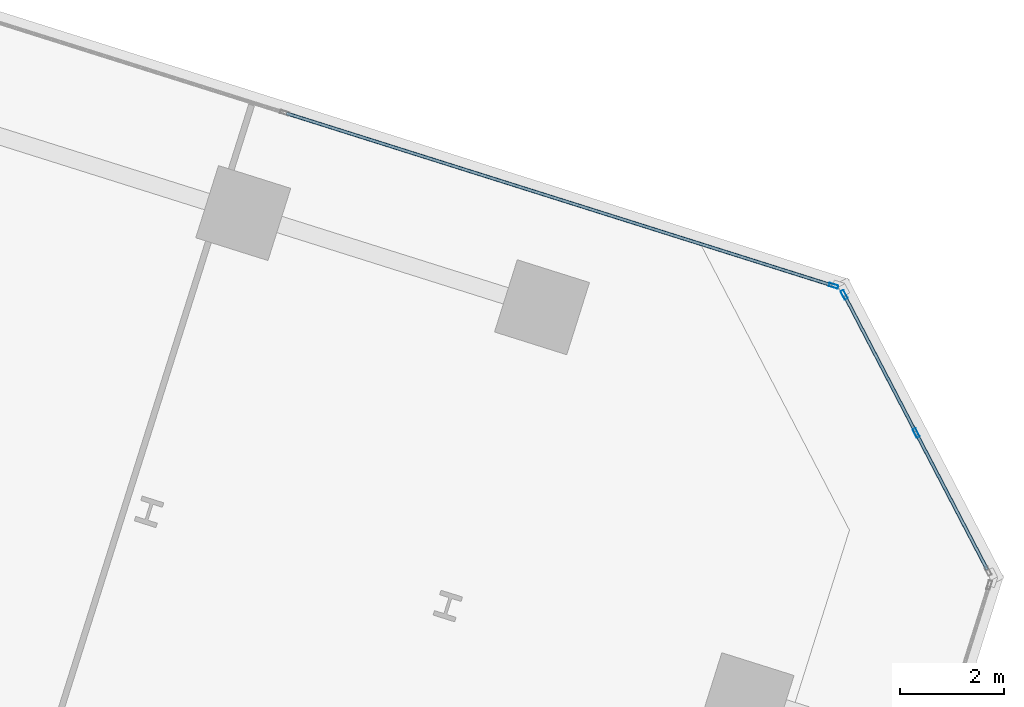
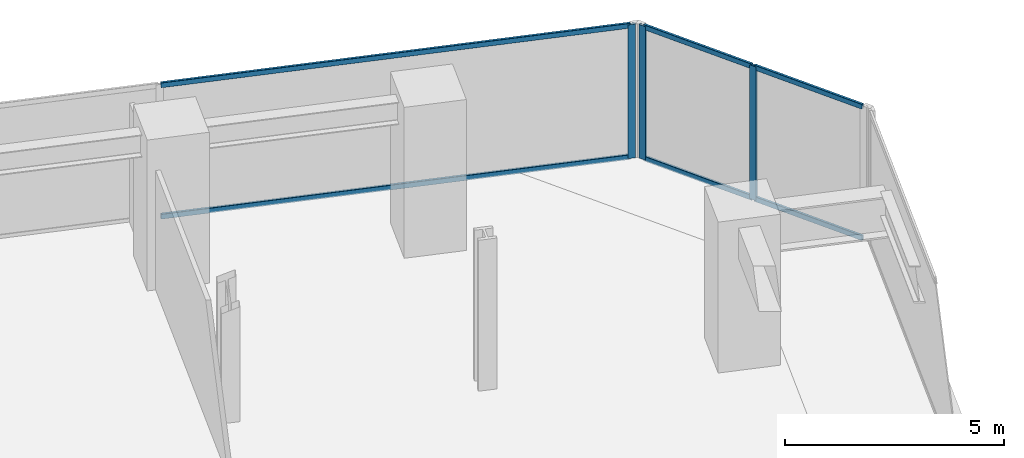
# One storey, part 12 of 28: 9 members, 2 elements without a shape of their own.
"""IFC4 building model written with IfcOpenShell, lengths in metres."""

import ifcopenshell
import ifcopenshell.guid

model = None  # the IFC model being written
_history = None  # IfcOwnerHistory: only IFC2X3 demands one
_inside = {}  # id of a spatial element -> (the spatial element, [elements in it])
_under = {}  # id of a project, library or spatial element -> (it, [spatial elements below it])
_declared = {}  # id of a project -> (the project, [libraries it declares])
_typed = {}  # id of a type object -> (the type object, [elements of that type])
_made_of = {}  # id of a material, layer set ... -> (it, [elements and type objects made of it])


def new_model(schema):
    """Start an empty IFC model of exactly this schema.

    Asked for "IFC4X3", IfcOpenShell would pick the latest addendum, in which some entities
    have other attributes; the version numbers below select the first issue.
    IFC2X3 requires an IfcOwnerHistory on every rooted entity: one is made here for all.
    """
    global model, _history
    if schema == "IFC4X3":
        model = ifcopenshell.file(schema_version=(4, 3, 0, 0))
    else:
        model = ifcopenshell.file(schema=schema)
    _inside.clear()
    _under.clear()
    _declared.clear()
    _typed.clear()
    _made_of.clear()
    _history = None
    if model.schema == "IFC2X3":
        org = make("IfcOrganization", Name="unknown")
        user = make(
            "IfcPersonAndOrganization",
            ThePerson=make("IfcPerson", FamilyName="unknown"),
            TheOrganization=org,
        )
        app = make(
            "IfcApplication",
            ApplicationDeveloper=org,
            Version="unknown",
            ApplicationFullName="unknown",
            ApplicationIdentifier="unknown",
        )
        _history = make(
            "IfcOwnerHistory",
            OwningUser=user,
            OwningApplication=app,
            ChangeAction="ADDED",
            CreationDate=0,
        )
    return model


def make(cls, **values):
    """One entity of the class cls with the attributes given. An attribute that is None is left unset."""
    return model.create_entity(
        cls, **{name: value for name, value in values.items() if value is not None}
    )


def rooted(cls, **values):
    """An entity with a GlobalId (a new one), such as an element, a storey or a relation."""
    return make(cls, GlobalId=ifcopenshell.guid.new(), OwnerHistory=_history, **values)


def si_unit(unit_type, name, prefix=None):
    """IfcSIUnit, for example si_unit("LENGTHUNIT", "METRE", prefix="MILLI")."""
    return make("IfcSIUnit", UnitType=unit_type, Prefix=prefix, Name=name)


def assignment(units):
    """IfcUnitAssignment: the units of a project."""
    return None if units is None else make("IfcUnitAssignment", Units=units)


def point(xyz):
    """IfcCartesianPoint."""
    return None if xyz is None else make("IfcCartesianPoint", Coordinates=xyz)


def direction(xyz):
    """IfcDirection."""
    return None if xyz is None else make("IfcDirection", DirectionRatios=xyz)


def frame(location, z_axis=None, x_axis=None):
    """IfcAxis2Placement3D, a coordinate frame: its origin and axes. An axis left out is left unset."""
    return make(
        "IfcAxis2Placement3D",
        Location=point(location),
        Axis=direction(z_axis),
        RefDirection=direction(x_axis),
    )


def frame_2d(location, x_axis=None):
    """IfcAxis2Placement2D, a coordinate frame in the plane: its origin and x axis."""
    return make(
        "IfcAxis2Placement2D", Location=point(location), RefDirection=direction(x_axis)
    )


def origin():
    """The frame at (0, 0, 0) with its axes left unset."""
    return frame((0.0, 0.0, 0.0))


def origin_2d():
    """The frame at (0, 0) in the plane with its x axis left unset."""
    return frame_2d((0.0, 0.0))


def place(relative_to, where):
    """IfcLocalPlacement: puts the frame where relative to a parent placement (None: the world)."""
    return make(
        "IfcLocalPlacement", PlacementRelTo=relative_to, RelativePlacement=where
    )


def context(
    kind, dimensions, precision=None, world=None, true_north=None, identifier=None
):
    """IfcGeometricRepresentationContext, for example the 3D "Model" context."""
    return make(
        "IfcGeometricRepresentationContext",
        ContextIdentifier=identifier,
        ContextType=kind,
        CoordinateSpaceDimension=dimensions,
        Precision=precision,
        WorldCoordinateSystem=world,
        TrueNorth=true_north,
    )


def subcontext(parent, identifier, kind, view, scale=None):
    """IfcGeometricRepresentationSubContext, for example "Body" below "Model"."""
    return make(
        "IfcGeometricRepresentationSubContext",
        ContextIdentifier=identifier,
        ContextType=kind,
        ParentContext=parent,
        TargetScale=scale,
        TargetView=view,
    )


def project(units=None, contexts=None):
    """IfcProject with its units and contexts."""
    return rooted(
        "IfcProject",
        Name="project",
        RepresentationContexts=contexts,
        UnitsInContext=assignment(units),
    )


def spatial(cls, under=None, at=None, **own):
    """A site, building, storey or space (cls), placed at a placement, below another one or the project."""
    s = rooted(cls, ObjectPlacement=at, **own)
    if under is not None:
        _under.setdefault(under.id(), (under, []))[1].append(s)
    return s


def profile(cls, at=None, kind="AREA", **sizes):
    """A parametric profile (cls). Its sizes go by their IFC names, for example OverallWidth=200.0."""
    return make(cls, ProfileType=kind, Position=at, **sizes)


def hollow_rectangle(**sizes):
    """IfcRectangleHollowProfileDef."""
    return profile("IfcRectangleHollowProfileDef", **sizes)


def extrude(swept, where, along, depth):
    """IfcExtrudedAreaSolid: the profile swept, set in the frame where, extruded along a direction by depth."""
    return make(
        "IfcExtrudedAreaSolid",
        SweptArea=swept,
        Position=where,
        ExtrudedDirection=direction(along),
        Depth=depth,
    )


def shape(context_of_items, identifier, shape_type, items):
    """IfcShapeRepresentation: the items that make up one representation, for example the "Body"."""
    return make(
        "IfcShapeRepresentation",
        ContextOfItems=context_of_items,
        RepresentationIdentifier=identifier,
        RepresentationType=shape_type,
        Items=items,
    )


def source(mapping_origin, context_of_items, identifier, shape_type, items):
    """IfcRepresentationMap: a shape defined once, which mapped items show again and again."""
    return make(
        "IfcRepresentationMap",
        MappingOrigin=mapping_origin,
        MappedRepresentation=shape(context_of_items, identifier, shape_type, items),
    )


def transform(
    local_origin,
    x_axis=None,
    y_axis=None,
    z_axis=None,
    scale=None,
    scale2=None,
    scale3=None,
    uniform=True,
):
    """IfcCartesianTransformationOperator3D, or its non-uniform kind. x_axis, y_axis, z_axis: its Axis1, 2, 3."""
    if uniform:
        return make(
            "IfcCartesianTransformationOperator3D",
            Axis1=direction(x_axis),
            Axis2=direction(y_axis),
            LocalOrigin=point(local_origin),
            Scale=scale,
            Axis3=direction(z_axis),
        )
    return make(
        "IfcCartesianTransformationOperator3DnonUniform",
        Axis1=direction(x_axis),
        Axis2=direction(y_axis),
        LocalOrigin=point(local_origin),
        Scale=scale,
        Axis3=direction(z_axis),
        Scale2=scale2,
        Scale3=scale3,
    )


def mapped(mapping_source, mapping_target):
    """IfcMappedItem: shows the shape of a source again, moved by a transform."""
    return make(
        "IfcMappedItem", MappingSource=mapping_source, MappingTarget=mapping_target
    )


def material(Name=None, Category=None):
    """IfcMaterial."""
    return make("IfcMaterial", Name=Name, Category=Category)


def material_profile(
    of_material, cross_section, Name=None, Category=None, Priority=None
):
    """IfcMaterialProfile: a cross section and its material."""
    return make(
        "IfcMaterialProfile",
        Name=Name,
        Material=of_material,
        Profile=cross_section,
        Priority=Priority,
        Category=Category,
    )


def profile_set(profiles, Name=None, composite=None):
    """IfcMaterialProfileSet."""
    return make(
        "IfcMaterialProfileSet",
        Name=Name,
        MaterialProfiles=profiles,
        CompositeProfile=composite,
    )


def made_of(thing, what):
    """Note that an element or type object is made of a material, layer set ...; save() writes the relation."""
    if what is not None:
        _made_of.setdefault(what.id(), (what, []))[1].append(thing)
    return thing


def type_object(cls, material=None, **own):
    """A type object (cls), such as IfcWallType, which elements share."""
    return made_of(rooted(cls, **own), material)


def element(
    cls,
    number,
    at=None,
    inside=None,
    cuts=None,
    type_object=None,
    material=None,
    context=None,
    identifier="Body",
    shape_type=None,
    held_by="IfcProductDefinitionShape",
    body=None,
    shapes=None,
    **own,
):
    """One element of the class cls, such as IfcWall. Its Tag is "e" and its number.

    at: its placement. inside: the storey or other place that contains it. cuts: it is an
    opening in that element (IfcRelVoidsElement). A single representation is given by context,
    identifier, shape_type and body (its items); several are given by shapes. held_by: the class
    of the entity that holds the representations. save() writes the other relations.
    """
    e = rooted(cls, Tag="e%d" % number, ObjectPlacement=at, **own)
    if body is not None:
        shapes = [shape(context, identifier, shape_type, body)]
    if shapes is not None:
        e.Representation = make(held_by, Representations=shapes)
    if inside is not None:
        _inside.setdefault(inside.id(), (inside, []))[1].append(e)
    if cuts is not None:
        rooted(
            "IfcRelVoidsElement", RelatingBuildingElement=cuts, RelatedOpeningElement=e
        )
    if type_object is not None:
        _typed.setdefault(type_object.id(), (type_object, []))[1].append(e)
    return made_of(e, material)


def aggregate(whole, parts):
    """IfcRelAggregates: a whole, such as a stair, and the parts it consists of."""
    return rooted("IfcRelAggregates", RelatingObject=whole, RelatedObjects=parts)


def save(model, path):
    """Write the relations noted so far, then the file.

    IfcRelAggregates (storeys below a building ...), IfcRelContainedInSpatialStructure (elements
    in a storey), IfcRelDefinesByType, IfcRelAssociatesMaterial and IfcRelDeclares: one each for
    every whole, place, type object, material and project.
    """
    for whole, parts in _under.values():
        aggregate(whole, parts)
    for where, things in _inside.values():
        rooted(
            "IfcRelContainedInSpatialStructure",
            RelatedElements=things,
            RelatingStructure=where,
        )
    for kind, things in _typed.values():
        rooted("IfcRelDefinesByType", RelatedObjects=things, RelatingType=kind)
    for what, things in _made_of.values():
        rooted("IfcRelAssociatesMaterial", RelatedObjects=things, RelatingMaterial=what)
    for by, libraries in _declared.values():
        rooted("IfcRelDeclares", RelatingContext=by, RelatedDefinitions=libraries)
    model.write(path)


model = new_model("IFC4")

# Units and contexts
model_context = context("Model", 3, precision=1e-05, world=origin(), true_north=direction((0.0, 1.0)))
body_context = subcontext(model_context, "Body", "Model", "MODEL_VIEW")
ifc_project = project(units=[si_unit("LENGTHUNIT", "METRE"), si_unit("AREAUNIT", "SQUARE_METRE"), si_unit("VOLUMEUNIT", "CUBIC_METRE"), si_unit("PLANEANGLEUNIT", "RADIAN"), si_unit("MASSUNIT", "GRAM", prefix="KILO")], contexts=[model_context])

# Site, building, storey
site_placement = place(None, origin())
site = spatial("IfcSite", under=ifc_project, at=site_placement, CompositionType="ELEMENT")
building_placement = place(site_placement, origin())
building = spatial("IfcBuilding", under=site, at=building_placement, Name="Torre Montelarca", CompositionType="ELEMENT")
storey_placement = place(building_placement, frame((0.0, 0.0, 112.60009765625)))
storey = spatial("IfcBuildingStorey", under=building, at=storey_placement, Name="L25", CompositionType="ELEMENT", Elevation=112.60009765625)

# Curtain wall, members
ifc_material_1 = material(Name="Insulated low-E laminated glass", Category="glass")
curtain_wall_type = type_object("IfcCurtainWallType", Name="CW-SYS-Z1", PredefinedType="USERDEFINED", material=ifc_material_1)
curtain_wall_1_placement = place(storey_placement, origin())
curtain_wall_1 = element("IfcCurtainWall", 1, at=curtain_wall_1_placement, inside=storey, type_object=curtain_wall_type, Name="L25 Curtain Wall Run CW-T3-L25-E07-B1", ObjectType="UNITISED GLAZING", PredefinedType="USERDEFINED")
ifc_material_2 = material(Name="Anodised aluminium AA 6063-T6", Category="aluminium")
ifc_material_profile_1 = material_profile(ifc_material_2, hollow_rectangle(XDim=0.06494140625, YDim=0.139892578125, WallThickness=0.00390625, InnerFilletRadius=0.00390625, OuterFilletRadius=0.008056640625, at=origin_2d()), Name="ALU65X140X4", Category="aluminium")
ifc_profile_set_1 = profile_set([ifc_material_profile_1], Name="Anodised aluminium AA 6063-T6")
member_type_1 = type_object("IfcMemberType", Name="CWT-ALU140", PredefinedType="USERDEFINED", material=ifc_profile_set_1)
shared_shape_1 = source(origin(), body_context, "Body", "SweptSolid", [
    extrude(hollow_rectangle(XDim=0.06494140625, YDim=0.139892578125, WallThickness=0.00390625, InnerFilletRadius=0.00390625, OuterFilletRadius=0.008056640625, at=origin_2d()), origin(), (0.0, 0.0, 1.0), 2.9189453125),
])
member_1_placement = place(storey_placement, frame((63.856201171875, 33.19970703125, 0.032470703125), z_axis=(-0.461708234154, 0.887031852029, 0.0), x_axis=(-0.887031852029, -0.461708234154, 0.0)))
member_1 = element("IfcMember", 2, at=member_1_placement, type_object=member_type_1, Name="CW transom 2.1", ObjectType="TRANSOM", PredefinedType="USERDEFINED", context=body_context, shape_type="MappedRepresentation", body=[
    mapped(shared_shape_1, transform((0.0, 0.0, 0.0), scale=1.0)),
])
member_2_placement = place(storey_placement, frame((63.856201171875, 33.19970703125, 3.6875), z_axis=(-0.461708234154, 0.887031852029, 0.0), x_axis=(-0.887031852029, -0.461708234154, 0.0)))
member_2 = element("IfcMember", 3, at=member_2_placement, type_object=member_type_1, Name="CW transom 2.2", ObjectType="TRANSOM", PredefinedType="USERDEFINED", context=body_context, shape_type="MappedRepresentation", body=[
    mapped(shared_shape_1, transform((0.0, 0.0, 0.0), scale=1.0)),
])
shared_shape_2 = source(origin(), body_context, "Body", "SweptSolid", [
    extrude(hollow_rectangle(XDim=0.06494140625, YDim=0.139892578125, WallThickness=0.00390625, InnerFilletRadius=0.00390625, OuterFilletRadius=0.008056640625, at=origin_2d()), origin(), (0.0, 0.0, 1.0), 2.918701171875),
])
member_3_placement = place(storey_placement, frame((65.23388671875, 30.55322265625, 0.032470703125), z_axis=(-0.461742492251, 0.887014019534, 0.0), x_axis=(-0.887014019534, -0.461742492251, 0.0)))
member_3 = element("IfcMember", 4, at=member_3_placement, type_object=member_type_1, Name="CW transom 1.1", ObjectType="TRANSOM", PredefinedType="USERDEFINED", context=body_context, shape_type="MappedRepresentation", body=[
    mapped(shared_shape_2, transform((0.0, 0.0, 0.0), scale=1.0)),
])
member_4_placement = place(storey_placement, frame((65.23388671875, 30.55322265625, 3.6875), z_axis=(-0.461742492251, 0.887014019534, 0.0), x_axis=(-0.887014019534, -0.461742492251, 0.0)))
member_4 = element("IfcMember", 5, at=member_4_placement, type_object=member_type_1, Name="CW transom 1.2", ObjectType="TRANSOM", PredefinedType="USERDEFINED", context=body_context, shape_type="MappedRepresentation", body=[
    mapped(shared_shape_2, transform((0.0, 0.0, 0.0), scale=1.0)),
])

curtain_wall_2_placement = place(storey_placement, origin())
curtain_wall_2 = element("IfcCurtainWall", 6, at=curtain_wall_2_placement, inside=storey, type_object=curtain_wall_type, Name="L25 Curtain Wall Run CW-T3-L25-E08-B1", ObjectType="UNITISED GLAZING", PredefinedType="USERDEFINED")
shared_shape_3 = source(origin(), body_context, "Body", "SweptSolid", [
    extrude(hollow_rectangle(XDim=0.06494140625, YDim=0.139892578125, WallThickness=0.00390625, InnerFilletRadius=0.00390625, OuterFilletRadius=0.008056640625, at=origin_2d()), origin(), (0.0, 0.0, 1.0), 10.95458984375),
])
member_5_placement = place(storey_placement, frame((62.258056640625, 35.9990234375, 0.032470703125), z_axis=(-0.95372066466, 0.300694020227, 0.0), x_axis=(-0.300694020227, -0.95372066466, 0.0)))
member_5 = element("IfcMember", 7, at=member_5_placement, type_object=member_type_1, Name="CW transom 1.1", ObjectType="TRANSOM", PredefinedType="USERDEFINED", context=body_context, shape_type="MappedRepresentation", body=[
    mapped(shared_shape_3, transform((0.0, 0.0, 0.0), scale=1.0)),
])
member_6_placement = place(storey_placement, frame((62.258056640625, 35.9990234375, 3.6875), z_axis=(-0.95372066466, 0.300694020227, 0.0), x_axis=(-0.300694020227, -0.95372066466, 0.0)))
member_6 = element("IfcMember", 8, at=member_6_placement, type_object=member_type_1, Name="CW transom 1.2", ObjectType="TRANSOM", PredefinedType="USERDEFINED", context=body_context, shape_type="MappedRepresentation", body=[
    mapped(shared_shape_3, transform((0.0, 0.0, 0.0), scale=1.0)),
])

# Member
ifc_material_profile_2 = material_profile(ifc_material_2, hollow_rectangle(XDim=0.06494140625, YDim=0.179931640625, WallThickness=0.00390625, InnerFilletRadius=0.00390625, OuterFilletRadius=0.008056640625, at=origin_2d()), Name="ALU65X180X4", Category="aluminium")
ifc_profile_set_2 = profile_set([ifc_material_profile_2], Name="Anodised aluminium AA 6063-T6")
member_type_2 = type_object("IfcMemberType", Name="CWM-ALU180", PredefinedType="MULLION", material=ifc_profile_set_2)
shared_shape_4 = source(origin(), body_context, "Body", "SweptSolid", [
    extrude(hollow_rectangle(XDim=0.06494140625, YDim=0.179931640625, WallThickness=0.00390625, InnerFilletRadius=0.00390625, OuterFilletRadius=0.008056640625, at=origin_2d()), origin(), (0.0, 0.0, 1.0), 3.719970703125),
])
member_7_placement = place(storey_placement, frame((63.871337890625, 33.1708984375, 0.0), z_axis=(0.0, 0.0, 1.0), x_axis=(-0.887014239788, -0.461742069139, 0.0)))
member_7 = element("IfcMember", 9, at=member_7_placement, type_object=member_type_2, Name="CW mullion 2", PredefinedType="MULLION", context=body_context, shape_type="MappedRepresentation", body=[
    mapped(shared_shape_4, transform((0.0, 0.0, 0.0), scale=1.0)),
])

member_8_placement = place(storey_placement, frame((62.49365234375, 35.817626953125, 0.0), z_axis=(0.0, 0.0, 1.0), x_axis=(-0.887014239788, -0.461742069139, 0.0)))
member_8 = element("IfcMember", 10, at=member_8_placement, type_object=member_type_2, Name="CW mullion 3", PredefinedType="MULLION", context=body_context, shape_type="MappedRepresentation", body=[
    mapped(shared_shape_4, transform((0.0, 0.0, 0.0), scale=1.0)),
])

aggregate(curtain_wall_1, [member_7, member_8, member_3, member_4, member_1, member_2])

member_9_placement = place(storey_placement, frame((62.2890625, 35.9892578125, 0.0), z_axis=(0.0, 0.0, 1.0), x_axis=(-0.300702638073, -0.953717947538, 0.0)))
member_9 = element("IfcMember", 11, at=member_9_placement, type_object=member_type_2, Name="CW mullion 1", PredefinedType="MULLION", context=body_context, shape_type="MappedRepresentation", body=[
    mapped(shared_shape_4, transform((0.0, 0.0, 0.0), scale=1.0)),
])

aggregate(curtain_wall_2, [member_9, member_5, member_6])

save(model, "model.ifc")
